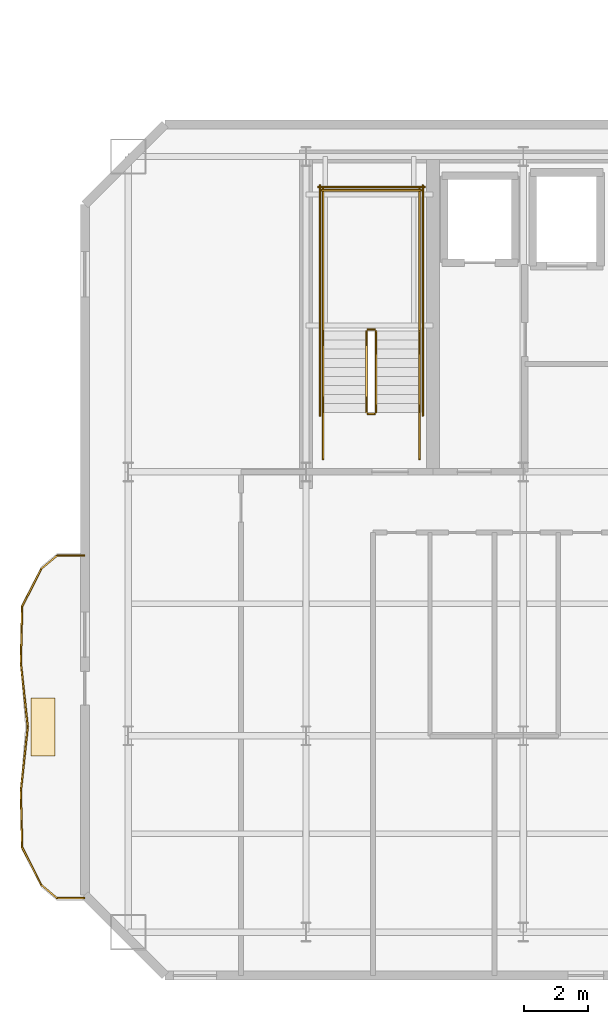
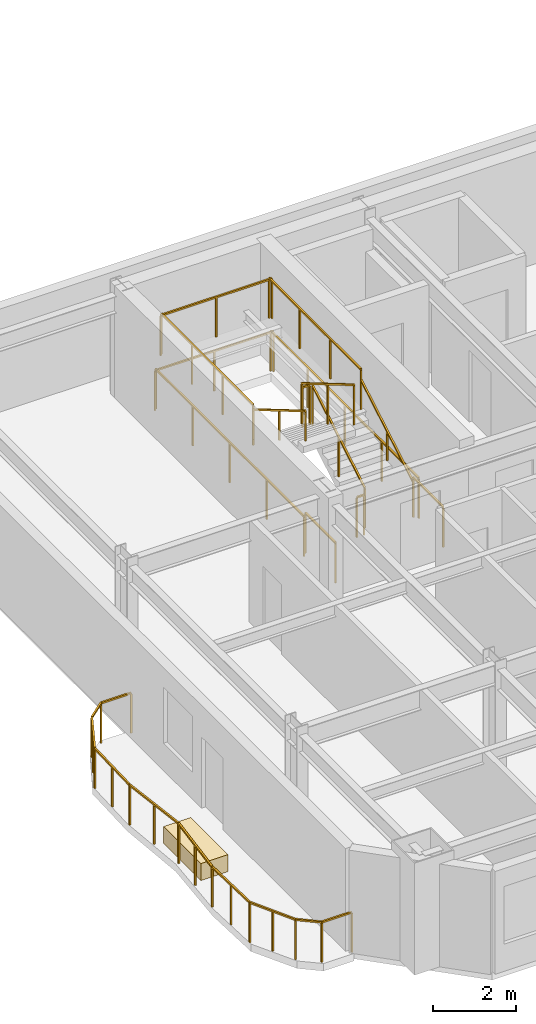
# One storey, part 11 of 14: 24 railings, 1 covering.
"""IFC4 building model written with IfcOpenShell, lengths in metres."""

import ifcopenshell
import ifcopenshell.guid

model = None  # the IFC model being written
_history = None  # IfcOwnerHistory: only IFC2X3 demands one
_inside = {}  # id of a spatial element -> (the spatial element, [elements in it])
_under = {}  # id of a project, library or spatial element -> (it, [spatial elements below it])
_declared = {}  # id of a project -> (the project, [libraries it declares])
_typed = {}  # id of a type object -> (the type object, [elements of that type])
_made_of = {}  # id of a material, layer set ... -> (it, [elements and type objects made of it])


def new_model(schema):
    """Start an empty IFC model of exactly this schema.

    Asked for "IFC4X3", IfcOpenShell would pick the latest addendum, in which some entities
    have other attributes; the version numbers below select the first issue.
    IFC2X3 requires an IfcOwnerHistory on every rooted entity: one is made here for all.
    """
    global model, _history
    if schema == "IFC4X3":
        model = ifcopenshell.file(schema_version=(4, 3, 0, 0))
    else:
        model = ifcopenshell.file(schema=schema)
    _inside.clear()
    _under.clear()
    _declared.clear()
    _typed.clear()
    _made_of.clear()
    _history = None
    if model.schema == "IFC2X3":
        org = make("IfcOrganization", Name="unknown")
        user = make(
            "IfcPersonAndOrganization",
            ThePerson=make("IfcPerson", FamilyName="unknown"),
            TheOrganization=org,
        )
        app = make(
            "IfcApplication",
            ApplicationDeveloper=org,
            Version="unknown",
            ApplicationFullName="unknown",
            ApplicationIdentifier="unknown",
        )
        _history = make(
            "IfcOwnerHistory",
            OwningUser=user,
            OwningApplication=app,
            ChangeAction="ADDED",
            CreationDate=0,
        )
    return model


def make(cls, **values):
    """One entity of the class cls with the attributes given. An attribute that is None is left unset."""
    return model.create_entity(
        cls, **{name: value for name, value in values.items() if value is not None}
    )


def rooted(cls, **values):
    """An entity with a GlobalId (a new one), such as an element, a storey or a relation."""
    return make(cls, GlobalId=ifcopenshell.guid.new(), OwnerHistory=_history, **values)


def si_unit(unit_type, name, prefix=None):
    """IfcSIUnit, for example si_unit("LENGTHUNIT", "METRE", prefix="MILLI")."""
    return make("IfcSIUnit", UnitType=unit_type, Prefix=prefix, Name=name)


def assignment(units):
    """IfcUnitAssignment: the units of a project."""
    return None if units is None else make("IfcUnitAssignment", Units=units)


def point(xyz):
    """IfcCartesianPoint."""
    return None if xyz is None else make("IfcCartesianPoint", Coordinates=xyz)


def direction(xyz):
    """IfcDirection."""
    return None if xyz is None else make("IfcDirection", DirectionRatios=xyz)


def frame(location, z_axis=None, x_axis=None):
    """IfcAxis2Placement3D, a coordinate frame: its origin and axes. An axis left out is left unset."""
    return make(
        "IfcAxis2Placement3D",
        Location=point(location),
        Axis=direction(z_axis),
        RefDirection=direction(x_axis),
    )


def frame_2d(location, x_axis=None):
    """IfcAxis2Placement2D, a coordinate frame in the plane: its origin and x axis."""
    return make(
        "IfcAxis2Placement2D", Location=point(location), RefDirection=direction(x_axis)
    )


def origin():
    """The frame at (0, 0, 0) with its axes left unset."""
    return frame((0.0, 0.0, 0.0))


def origin_2d():
    """The frame at (0, 0) in the plane with its x axis left unset."""
    return frame_2d((0.0, 0.0))


def place(relative_to, where):
    """IfcLocalPlacement: puts the frame where relative to a parent placement (None: the world)."""
    return make(
        "IfcLocalPlacement", PlacementRelTo=relative_to, RelativePlacement=where
    )


def context(
    kind, dimensions, precision=None, world=None, true_north=None, identifier=None
):
    """IfcGeometricRepresentationContext, for example the 3D "Model" context."""
    return make(
        "IfcGeometricRepresentationContext",
        ContextIdentifier=identifier,
        ContextType=kind,
        CoordinateSpaceDimension=dimensions,
        Precision=precision,
        WorldCoordinateSystem=world,
        TrueNorth=true_north,
    )


def subcontext(parent, identifier, kind, view, scale=None):
    """IfcGeometricRepresentationSubContext, for example "Body" below "Model"."""
    return make(
        "IfcGeometricRepresentationSubContext",
        ContextIdentifier=identifier,
        ContextType=kind,
        ParentContext=parent,
        TargetScale=scale,
        TargetView=view,
    )


def project(units=None, contexts=None):
    """IfcProject with its units and contexts."""
    return rooted(
        "IfcProject",
        Name="project",
        RepresentationContexts=contexts,
        UnitsInContext=assignment(units),
    )


def spatial(cls, under=None, at=None, **own):
    """A site, building, storey or space (cls), placed at a placement, below another one or the project."""
    s = rooted(cls, ObjectPlacement=at, **own)
    if under is not None:
        _under.setdefault(under.id(), (under, []))[1].append(s)
    return s


def profile(cls, at=None, kind="AREA", **sizes):
    """A parametric profile (cls). Its sizes go by their IFC names, for example OverallWidth=200.0."""
    return make(cls, ProfileType=kind, Position=at, **sizes)


def rectangle(**sizes):
    """IfcRectangleProfileDef."""
    return profile("IfcRectangleProfileDef", **sizes)


def extrude(swept, where, along, depth):
    """IfcExtrudedAreaSolid: the profile swept, set in the frame where, extruded along a direction by depth."""
    return make(
        "IfcExtrudedAreaSolid",
        SweptArea=swept,
        Position=where,
        ExtrudedDirection=direction(along),
        Depth=depth,
    )


def shape(context_of_items, identifier, shape_type, items):
    """IfcShapeRepresentation: the items that make up one representation, for example the "Body"."""
    return make(
        "IfcShapeRepresentation",
        ContextOfItems=context_of_items,
        RepresentationIdentifier=identifier,
        RepresentationType=shape_type,
        Items=items,
    )


def material(Name=None, Category=None):
    """IfcMaterial."""
    return make("IfcMaterial", Name=Name, Category=Category)


def layer(
    of_material, thickness, ventilated=None, Name=None, Category=None, Priority=None
):
    """IfcMaterialLayer: one layer of a wall or slab, of a material (None: an air gap)."""
    return make(
        "IfcMaterialLayer",
        Material=of_material,
        LayerThickness=thickness,
        IsVentilated=ventilated,
        Name=Name,
        Category=Category,
        Priority=Priority,
    )


def layer_set(layers, Name=None):
    """IfcMaterialLayerSet."""
    return make("IfcMaterialLayerSet", MaterialLayers=layers, LayerSetName=Name)


def made_of(thing, what):
    """Note that an element or type object is made of a material, layer set ...; save() writes the relation."""
    if what is not None:
        _made_of.setdefault(what.id(), (what, []))[1].append(thing)
    return thing


def type_object(cls, material=None, **own):
    """A type object (cls), such as IfcWallType, which elements share."""
    return made_of(rooted(cls, **own), material)


def element(
    cls,
    number,
    at=None,
    inside=None,
    cuts=None,
    type_object=None,
    material=None,
    context=None,
    identifier="Body",
    shape_type=None,
    held_by="IfcProductDefinitionShape",
    body=None,
    shapes=None,
    **own,
):
    """One element of the class cls, such as IfcWall. Its Tag is "e" and its number.

    at: its placement. inside: the storey or other place that contains it. cuts: it is an
    opening in that element (IfcRelVoidsElement). A single representation is given by context,
    identifier, shape_type and body (its items); several are given by shapes. held_by: the class
    of the entity that holds the representations. save() writes the other relations.
    """
    e = rooted(cls, Tag="e%d" % number, ObjectPlacement=at, **own)
    if body is not None:
        shapes = [shape(context, identifier, shape_type, body)]
    if shapes is not None:
        e.Representation = make(held_by, Representations=shapes)
    if inside is not None:
        _inside.setdefault(inside.id(), (inside, []))[1].append(e)
    if cuts is not None:
        rooted(
            "IfcRelVoidsElement", RelatingBuildingElement=cuts, RelatedOpeningElement=e
        )
    if type_object is not None:
        _typed.setdefault(type_object.id(), (type_object, []))[1].append(e)
    return made_of(e, material)


def aggregate(whole, parts):
    """IfcRelAggregates: a whole, such as a stair, and the parts it consists of."""
    return rooted("IfcRelAggregates", RelatingObject=whole, RelatedObjects=parts)


def save(model, path):
    """Write the relations noted so far, then the file.

    IfcRelAggregates (storeys below a building ...), IfcRelContainedInSpatialStructure (elements
    in a storey), IfcRelDefinesByType, IfcRelAssociatesMaterial and IfcRelDeclares: one each for
    every whole, place, type object, material and project.
    """
    for whole, parts in _under.values():
        aggregate(whole, parts)
    for where, things in _inside.values():
        rooted(
            "IfcRelContainedInSpatialStructure",
            RelatedElements=things,
            RelatingStructure=where,
        )
    for kind, things in _typed.values():
        rooted("IfcRelDefinesByType", RelatedObjects=things, RelatingType=kind)
    for what, things in _made_of.values():
        rooted("IfcRelAssociatesMaterial", RelatedObjects=things, RelatingMaterial=what)
    for by, libraries in _declared.values():
        rooted("IfcRelDeclares", RelatingContext=by, RelatedDefinitions=libraries)
    model.write(path)


model = new_model("IFC4")

# Units and contexts
model_context = context("Model", 3, precision=1e-05, world=origin(), true_north=direction((0.0, 1.0)))
body_context = subcontext(model_context, "Body", "Model", "MODEL_VIEW")
ifc_project = project(units=[si_unit("LENGTHUNIT", "METRE"), si_unit("AREAUNIT", "SQUARE_METRE"), si_unit("VOLUMEUNIT", "CUBIC_METRE"), si_unit("PLANEANGLEUNIT", "RADIAN"), si_unit("MASSUNIT", "GRAM", prefix="KILO")], contexts=[model_context])

# Site, building, storey
site_placement = place(None, origin())
site = spatial("IfcSite", under=ifc_project, at=site_placement, CompositionType="ELEMENT")
building_placement = place(site_placement, origin())
building = spatial("IfcBuilding", under=site, at=building_placement, Name="Haevon Station Towers", CompositionType="ELEMENT")
storey_placement = place(building_placement, frame((0.0, 0.0, 212.10009765625)))
storey = spatial("IfcBuildingStorey", under=building, at=storey_placement, Name="L58", CompositionType="ELEMENT", Elevation=212.10009765625)

# Railings
ifc_material_1 = material(Name="Steel S355", Category="steel")
railing_type_1 = type_object("IfcRailingType", Name="GRD-EXT1200", PredefinedType="GUARDRAIL", material=ifc_material_1)
railing_1_placement = place(storey_placement, frame((17.1015625, 35.59716796875, 0.0)))
element("IfcRailing", 1, at=railing_1_placement, inside=storey, type_object=railing_type_1, Name="L58 Perimeter Guardrail 1", PredefinedType="GUARDRAIL", context=body_context, shape_type="SweptSolid", body=[
    extrude(rectangle(XDim=0.048095703125, YDim=0.048095703125, at=origin_2d()), frame((0.0, 0.0, 1.17578125), z_axis=(-0.999997284808, -0.002330317005, 0.0), x_axis=(0.002330317005, -0.999997284808, 0.0)), (0.0, 0.0, 1.0), 0.838134765625),
    extrude(rectangle(XDim=0.0419921875, YDim=0.0419921875, at=origin_2d()), origin(), (0.0, 0.0, 1.0), 1.15185546875),
    extrude(rectangle(XDim=0.0419921875, YDim=0.0419921875, at=origin_2d()), frame((-0.838134765625, -0.001953125, 0.0)), (0.0, 0.0, 1.0), 1.15185546875),
])
railing_2_placement = place(storey_placement, frame((16.263427734375, 35.59521484375, 0.0)))
element("IfcRailing", 2, at=railing_2_placement, inside=storey, type_object=railing_type_1, Name="L58 Perimeter Guardrail 2", PredefinedType="GUARDRAIL", context=body_context, shape_type="SweptSolid", body=[
    extrude(rectangle(XDim=0.048095703125, YDim=0.048095703125, at=origin_2d()), frame((0.0, 0.0, 1.17578125), z_axis=(-0.766185485798, -0.642619484106, 0.0), x_axis=(0.642619484106, -0.766185485798, 0.0)), (0.0, 0.0, 1.0), 0.64013671875),
    extrude(rectangle(XDim=0.0419921875, YDim=0.0419921875, at=origin_2d()), origin(), (0.0, 0.0, 1.0), 1.15185546875),
    extrude(rectangle(XDim=0.0419921875, YDim=0.0419921875, at=origin_2d()), frame((-0.490478515625, -0.411376953125, 0.0)), (0.0, 0.0, 1.0), 1.15185546875),
])
railing_3_placement = place(storey_placement, frame((15.77294921875, 35.183837890625, 0.0)))
element("IfcRailing", 3, at=railing_3_placement, inside=storey, type_object=railing_type_1, Name="L58 Perimeter Guardrail 3", PredefinedType="GUARDRAIL", context=body_context, shape_type="SweptSolid", body=[
    extrude(rectangle(XDim=0.048095703125, YDim=0.048095703125, at=origin_2d()), frame((0.0, 0.0, 1.17578125), z_axis=(-0.452346084471, -0.891842486016, 0.0), x_axis=(0.891842486016, -0.452346084471, 0.0)), (0.0, 0.0, 1.0), 1.31103515625),
    extrude(rectangle(XDim=0.0419921875, YDim=0.0419921875, at=origin_2d()), origin(), (0.0, 0.0, 1.0), 1.15185546875),
    extrude(rectangle(XDim=0.0419921875, YDim=0.0419921875, at=origin_2d()), frame((-0.29638671875, -0.58447265625, 0.0)), (0.0, 0.0, 1.0), 1.15185546875),
    extrude(rectangle(XDim=0.0419921875, YDim=0.0419921875, at=origin_2d()), frame((-0.593017578125, -1.169189453125, 0.0)), (0.0, 0.0, 1.0), 1.15185546875),
])
railing_4_placement = place(storey_placement, frame((15.179931640625, 34.0146484375, 0.0)))
element("IfcRailing", 4, at=railing_4_placement, inside=storey, type_object=railing_type_1, Name="L58 Perimeter Guardrail 4", PredefinedType="GUARDRAIL", context=body_context, shape_type="SweptSolid", body=[
    extrude(rectangle(XDim=0.048095703125, YDim=0.048095703125, at=origin_2d()), frame((0.0, 0.0, 1.17578125), z_axis=(-0.023447411983, -0.999725071643, 0.0), x_axis=(0.999725071643, -0.023447411983, 0.0)), (0.0, 0.0, 1.0), 1.749267578125),
    extrude(rectangle(XDim=0.0419921875, YDim=0.0419921875, at=origin_2d()), origin(), (0.0, 0.0, 1.0), 1.15185546875),
    extrude(rectangle(XDim=0.0419921875, YDim=0.0419921875, at=origin_2d()), frame((-0.0205078125, -0.87451171875, 0.0)), (0.0, 0.0, 1.0), 1.15185546875),
    extrude(rectangle(XDim=0.0419921875, YDim=0.0419921875, at=origin_2d()), frame((-0.041015625, -1.748779296875, 0.0)), (0.0, 0.0, 1.0), 1.15185546875),
])
railing_5_placement = place(storey_placement, frame((15.138916015625, 32.265869140625, 0.0)))
element("IfcRailing", 5, at=railing_5_placement, inside=storey, type_object=railing_type_1, Name="L58 Perimeter Guardrail 5", PredefinedType="GUARDRAIL", context=body_context, shape_type="SweptSolid", body=[
    extrude(rectangle(XDim=0.048095703125, YDim=0.048095703125, at=origin_2d()), frame((0.0, 0.0, 1.17578125), z_axis=(0.107286422576, -0.994228154666, 0.0), x_axis=(0.994228154666, 0.107286422576, 0.0)), (0.0, 0.0, 1.0), 2.00244140625),
    extrude(rectangle(XDim=0.0419921875, YDim=0.0419921875, at=origin_2d()), origin(), (0.0, 0.0, 1.0), 1.15185546875),
    extrude(rectangle(XDim=0.0419921875, YDim=0.0419921875, at=origin_2d()), frame((0.107421875, -0.99560546875, 0.0)), (0.0, 0.0, 1.0), 1.15185546875),
    extrude(rectangle(XDim=0.0419921875, YDim=0.0419921875, at=origin_2d()), frame((0.21484375, -1.990966796875, 0.0)), (0.0, 0.0, 1.0), 1.15185546875),
])
railing_6_placement = place(storey_placement, frame((15.353759765625, 30.27490234375, 0.0)))
element("IfcRailing", 6, at=railing_6_placement, inside=storey, type_object=railing_type_1, Name="L58 Perimeter Guardrail 6", PredefinedType="GUARDRAIL", context=body_context, shape_type="SweptSolid", body=[
    extrude(rectangle(XDim=0.048095703125, YDim=0.048095703125, at=origin_2d()), frame((0.0, 0.0, 1.17578125), z_axis=(-0.107299428621, -0.994226751107, 0.0), x_axis=(0.994226751107, -0.107299428621, 0.0)), (0.0, 0.0, 1.0), 2.002197265625),
    extrude(rectangle(XDim=0.0419921875, YDim=0.0419921875, at=origin_2d()), origin(), (0.0, 0.0, 1.0), 1.15185546875),
    extrude(rectangle(XDim=0.0419921875, YDim=0.0419921875, at=origin_2d()), frame((-0.107421875, -0.995361328125, 0.0)), (0.0, 0.0, 1.0), 1.15185546875),
    extrude(rectangle(XDim=0.0419921875, YDim=0.0419921875, at=origin_2d()), frame((-0.21484375, -1.99072265625, 0.0)), (0.0, 0.0, 1.0), 1.15185546875),
])
railing_7_placement = place(storey_placement, frame((15.138916015625, 28.2841796875, 0.0)))
element("IfcRailing", 7, at=railing_7_placement, inside=storey, type_object=railing_type_1, Name="L58 Perimeter Guardrail 7", PredefinedType="GUARDRAIL", context=body_context, shape_type="SweptSolid", body=[
    extrude(rectangle(XDim=0.048095703125, YDim=0.048095703125, at=origin_2d()), frame((0.0, 0.0, 1.17578125), z_axis=(0.023447411983, -0.999725071643, 0.0), x_axis=(0.999725071643, 0.023447411983, 0.0)), (0.0, 0.0, 1.0), 1.749267578125),
    extrude(rectangle(XDim=0.0419921875, YDim=0.0419921875, at=origin_2d()), origin(), (0.0, 0.0, 1.0), 1.15185546875),
    extrude(rectangle(XDim=0.0419921875, YDim=0.0419921875, at=origin_2d()), frame((0.0205078125, -0.87451171875, 0.0)), (0.0, 0.0, 1.0), 1.15185546875),
    extrude(rectangle(XDim=0.0419921875, YDim=0.0419921875, at=origin_2d()), frame((0.041015625, -1.748779296875, 0.0)), (0.0, 0.0, 1.0), 1.15185546875),
])
railing_8_placement = place(storey_placement, frame((15.179931640625, 26.535400390625, 0.0)))
element("IfcRailing", 8, at=railing_8_placement, inside=storey, type_object=railing_type_1, Name="L58 Perimeter Guardrail 8", PredefinedType="GUARDRAIL", context=body_context, shape_type="SweptSolid", body=[
    extrude(rectangle(XDim=0.048095703125, YDim=0.048095703125, at=origin_2d()), frame((0.0, 0.0, 1.17578125), z_axis=(0.452270967259, -0.89188058179, 0.0), x_axis=(0.89188058179, 0.452270967259, 0.0)), (0.0, 0.0, 1.0), 1.311279296875),
    extrude(rectangle(XDim=0.0419921875, YDim=0.0419921875, at=origin_2d()), origin(), (0.0, 0.0, 1.0), 1.15185546875),
    extrude(rectangle(XDim=0.0419921875, YDim=0.0419921875, at=origin_2d()), frame((0.29638671875, -0.584716796875, 0.0)), (0.0, 0.0, 1.0), 1.15185546875),
    extrude(rectangle(XDim=0.0419921875, YDim=0.0419921875, at=origin_2d()), frame((0.593017578125, -1.16943359375, 0.0)), (0.0, 0.0, 1.0), 1.15185546875),
])
railing_9_placement = place(storey_placement, frame((15.77294921875, 25.365966796875, 0.0)))
element("IfcRailing", 9, at=railing_9_placement, inside=storey, type_object=railing_type_1, Name="L58 Perimeter Guardrail 9", PredefinedType="GUARDRAIL", context=body_context, shape_type="SweptSolid", body=[
    extrude(rectangle(XDim=0.048095703125, YDim=0.048095703125, at=origin_2d()), frame((0.0, 0.0, 1.17578125), z_axis=(0.766373275835, -0.64239551842, 0.0), x_axis=(0.64239551842, 0.766373275835, 0.0)), (0.0, 0.0, 1.0), 0.639892578125),
    extrude(rectangle(XDim=0.0419921875, YDim=0.0419921875, at=origin_2d()), origin(), (0.0, 0.0, 1.0), 1.15185546875),
    extrude(rectangle(XDim=0.0419921875, YDim=0.0419921875, at=origin_2d()), frame((0.490478515625, -0.4111328125, 0.0)), (0.0, 0.0, 1.0), 1.15185546875),
])
railing_10_placement = place(storey_placement, frame((16.263427734375, 24.954833984375, 0.0)))
element("IfcRailing", 10, at=railing_10_placement, inside=storey, type_object=railing_type_1, Name="L58 Perimeter Guardrail 10", PredefinedType="GUARDRAIL", context=body_context, shape_type="SweptSolid", body=[
    extrude(rectangle(XDim=0.048095703125, YDim=0.048095703125, at=origin_2d()), frame((0.0, 0.0, 1.17578125), z_axis=(0.999997284808, -0.002330317005, 0.0), x_axis=(0.002330317005, 0.999997284808, 0.0)), (0.0, 0.0, 1.0), 0.838134765625),
    extrude(rectangle(XDim=0.0419921875, YDim=0.0419921875, at=origin_2d()), origin(), (0.0, 0.0, 1.0), 1.15185546875),
    extrude(rectangle(XDim=0.0419921875, YDim=0.0419921875, at=origin_2d()), frame((0.838134765625, -0.001953125, 0.0)), (0.0, 0.0, 1.0), 1.15185546875),
])
railing_type_2 = type_object("IfcRailingType", Name="GRD-STR1200", PredefinedType="GUARDRAIL", material=ifc_material_1)
railing_11_placement = place(storey_placement, frame((26.179931640625, 40.050048828125, 0.164794921875)))
element("IfcRailing", 11, at=railing_11_placement, inside=storey, type_object=railing_type_2, Name="L58 ST1 Stair Guard 1", PredefinedType="GUARDRAIL", context=body_context, shape_type="SweptSolid", body=[
    extrude(rectangle(XDim=0.048095703125, YDim=0.048095703125, at=origin_2d()), frame((0.0, 0.0, 1.17578125), z_axis=(0.0, 0.86152411907, 0.507716645641), x_axis=(-1.0, 0.0, 0.0)), (0.0, 0.0, 1.0), 2.925048828125),
    extrude(rectangle(XDim=0.0419921875, YDim=0.0419921875, at=origin_2d()), origin(), (0.0, 0.0, 1.0), 1.15185546875),
    extrude(rectangle(XDim=0.0419921875, YDim=0.0419921875, at=origin_2d()), frame((0.0, 1.260009765625, 0.74267578125)), (0.0, 0.0, 1.0), 1.15185546875),
    extrude(rectangle(XDim=0.0419921875, YDim=0.0419921875, at=origin_2d()), frame((0.0, 2.52001953125, 1.485107421875)), (0.0, 0.0, 1.0), 1.15185546875),
])
railing_12_placement = place(storey_placement, frame((26.1298828125, 42.6201171875, 1.64990234375)))
element("IfcRailing", 12, at=railing_12_placement, inside=storey, type_object=railing_type_2, Name="L58 ST1 Stair Guard 2", PredefinedType="GUARDRAIL", context=body_context, shape_type="SweptSolid", body=[
    extrude(rectangle(XDim=0.048095703125, YDim=0.048095703125, at=origin_2d()), frame((0.0, 0.0, 1.17578125), z_axis=(-1.0, 0.0, 0.0), x_axis=(0.0, -1.0, 0.0)), (0.0, 0.0, 1.0), 0.199951171875),
    extrude(rectangle(XDim=0.0419921875, YDim=0.0419921875, at=origin_2d()), origin(), (0.0, 0.0, 1.0), 1.15185546875),
    extrude(rectangle(XDim=0.0419921875, YDim=0.0419921875, at=origin_2d()), frame((-0.199951171875, 0.0, 0.0)), (0.0, 0.0, 1.0), 1.15185546875),
])
for number, where, name in (
    (13, (27.530029296875, 42.570068359375, 1.64990234375), "L58 ST1 Stair Guard 3"),
    (14, (24.530029296875, 42.570068359375, 1.64990234375), "L58 ST1 Stair Guard 4"),
):
    element("IfcRailing", number, at=place(storey_placement, frame(where)), inside=storey, type_object=railing_type_2, Name=name, PredefinedType="GUARDRAIL", context=body_context, shape_type="SweptSolid", body=[
        extrude(rectangle(XDim=0.048095703125, YDim=0.048095703125, at=origin_2d()), frame((0.0, 0.0, 1.17578125), z_axis=(0.0, 1.0, 0.0), x_axis=(-1.0, 0.0, 0.0)), (0.0, 0.0, 1.0), 4.429931640625),
        extrude(rectangle(XDim=0.0419921875, YDim=0.0419921875, at=origin_2d()), origin(), (0.0, 0.0, 1.0), 1.15185546875),
        extrude(rectangle(XDim=0.0419921875, YDim=0.0419921875, at=origin_2d()), frame((0.0, 1.4765625, 0.0)), (0.0, 0.0, 1.0), 1.15185546875),
        extrude(rectangle(XDim=0.0419921875, YDim=0.0419921875, at=origin_2d()), frame((0.0, 2.953369140625, 0.0)), (0.0, 0.0, 1.0), 1.15185546875),
        extrude(rectangle(XDim=0.0419921875, YDim=0.0419921875, at=origin_2d()), frame((0.0, 4.429931640625, 0.0)), (0.0, 0.0, 1.0), 1.15185546875),
    ])
railing_13_placement = place(storey_placement, frame((27.580078125, 46.949951171875, 1.64990234375)))
element("IfcRailing", 15, at=railing_13_placement, inside=storey, type_object=railing_type_2, Name="L58 ST1 Stair Guard 5", PredefinedType="GUARDRAIL", context=body_context, shape_type="SweptSolid", body=[
    extrude(rectangle(XDim=0.048095703125, YDim=0.048095703125, at=origin_2d()), frame((0.0, 0.0, 1.17578125), z_axis=(-1.0, 0.0, 0.0), x_axis=(0.0, -1.0, 0.0)), (0.0, 0.0, 1.0), 3.10009765625),
    extrude(rectangle(XDim=0.0419921875, YDim=0.0419921875, at=origin_2d()), origin(), (0.0, 0.0, 1.0), 1.15185546875),
    extrude(rectangle(XDim=0.0419921875, YDim=0.0419921875, at=origin_2d()), frame((-1.550048828125, 0.0, 0.0)), (0.0, 0.0, 1.0), 1.15185546875),
    extrude(rectangle(XDim=0.0419921875, YDim=0.0419921875, at=origin_2d()), frame((-3.10009765625, 0.0, 0.0)), (0.0, 0.0, 1.0), 1.15185546875),
])
railing_14_placement = place(storey_placement, frame((25.8798828125, 42.570068359375, 1.81494140625)))
element("IfcRailing", 16, at=railing_14_placement, inside=storey, type_object=railing_type_2, Name="L58 ST1 Stair Guard 6", PredefinedType="GUARDRAIL", context=body_context, shape_type="SweptSolid", body=[
    extrude(rectangle(XDim=0.048095703125, YDim=0.048095703125, at=origin_2d()), frame((0.0, 0.0, 1.17578125), z_axis=(0.0, -0.861560626758, 0.507654692109), x_axis=(1.0, 0.0, 0.0)), (0.0, 0.0, 1.0), 2.925048828125),
    extrude(rectangle(XDim=0.0419921875, YDim=0.0419921875, at=origin_2d()), origin(), (0.0, 0.0, 1.0), 1.15185546875),
    extrude(rectangle(XDim=0.0419921875, YDim=0.0419921875, at=origin_2d()), frame((0.0, -1.260009765625, 0.742431640625)), (0.0, 0.0, 1.0), 1.15185546875),
    extrude(rectangle(XDim=0.0419921875, YDim=0.0419921875, at=origin_2d()), frame((0.0, -2.52001953125, 1.48486328125)), (0.0, 0.0, 1.0), 1.15185546875),
])
railing_15_placement = place(storey_placement, frame((26.1298828125, 40.0, 0.0)))
element("IfcRailing", 17, at=railing_15_placement, inside=storey, type_object=railing_type_2, Name="L58 ST1 Stair Guard 7", PredefinedType="GUARDRAIL", context=body_context, shape_type="SweptSolid", body=[
    extrude(rectangle(XDim=0.048095703125, YDim=0.048095703125, at=origin_2d()), frame((0.0, 0.0, 1.17578125), z_axis=(-1.0, 0.0, 0.0), x_axis=(0.0, -1.0, 0.0)), (0.0, 0.0, 1.0), 0.199951171875),
    extrude(rectangle(XDim=0.0419921875, YDim=0.0419921875, at=origin_2d()), origin(), (0.0, 0.0, 1.0), 1.15185546875),
    extrude(rectangle(XDim=0.0419921875, YDim=0.0419921875, at=origin_2d()), frame((-0.199951171875, 0.0, 0.0)), (0.0, 0.0, 1.0), 1.15185546875),
])
for number, where, name in (
    (18, (27.530029296875, 38.60009765625, 0.0), "L58 ST1 Stair Guard 8"),
    (19, (24.530029296875, 38.60009765625, 0.0), "L58 ST1 Stair Guard 9"),
):
    element("IfcRailing", number, at=place(storey_placement, frame(where)), inside=storey, type_object=railing_type_2, Name=name, PredefinedType="GUARDRAIL", context=body_context, shape_type="SweptSolid", body=[
        extrude(rectangle(XDim=0.048095703125, YDim=0.048095703125, at=origin_2d()), frame((0.0, 0.0, 1.17578125), z_axis=(0.0, 1.0, 0.0), x_axis=(-1.0, 0.0, 0.0)), (0.0, 0.0, 1.0), 1.449951171875),
        extrude(rectangle(XDim=0.0419921875, YDim=0.0419921875, at=origin_2d()), origin(), (0.0, 0.0, 1.0), 1.15185546875),
        extrude(rectangle(XDim=0.0419921875, YDim=0.0419921875, at=origin_2d()), frame((0.0, 1.449951171875, 0.0)), (0.0, 0.0, 1.0), 1.15185546875),
    ])
for number, where, name in (
    (20, (27.6298828125, 39.949951171875, 0.0), "L58 ST1 Stair Guard 10"),
    (21, (24.429931640625, 39.949951171875, 0.0), "L58 ST1 Stair Guard 11"),
):
    element("IfcRailing", number, at=place(storey_placement, frame(where)), inside=storey, type_object=railing_type_2, Name=name, PredefinedType="GUARDRAIL", context=body_context, shape_type="SweptSolid", body=[
        extrude(rectangle(XDim=0.048095703125, YDim=0.048095703125, at=origin_2d()), frame((0.0, 0.0, 1.17578125), z_axis=(0.0, 1.0, 0.0), x_axis=(-1.0, 0.0, 0.0)), (0.0, 0.0, 1.0), 7.150146484375),
        extrude(rectangle(XDim=0.0419921875, YDim=0.0419921875, at=origin_2d()), origin(), (0.0, 0.0, 1.0), 1.15185546875),
        extrude(rectangle(XDim=0.0419921875, YDim=0.0419921875, at=origin_2d()), frame((0.0, 1.78759765625, 0.0)), (0.0, 0.0, 1.0), 1.15185546875),
        extrude(rectangle(XDim=0.0419921875, YDim=0.0419921875, at=origin_2d()), frame((0.0, 3.5751953125, 0.0)), (0.0, 0.0, 1.0), 1.15185546875),
        extrude(rectangle(XDim=0.0419921875, YDim=0.0419921875, at=origin_2d()), frame((0.0, 5.362548828125, 0.0)), (0.0, 0.0, 1.0), 1.15185546875),
        extrude(rectangle(XDim=0.0419921875, YDim=0.0419921875, at=origin_2d()), frame((0.0, 7.150146484375, 0.0)), (0.0, 0.0, 1.0), 1.15185546875),
    ])
railing_16_placement = place(storey_placement, frame((27.679931640625, 47.050048828125, 0.0)))
element("IfcRailing", 22, at=railing_16_placement, inside=storey, type_object=railing_type_2, Name="L58 ST1 Stair Guard 12", PredefinedType="GUARDRAIL", context=body_context, shape_type="SweptSolid", body=[
    extrude(rectangle(XDim=0.048095703125, YDim=0.048095703125, at=origin_2d()), frame((0.0, 0.0, 1.17578125), z_axis=(-1.0, 0.0, 0.0), x_axis=(0.0, -1.0, 0.0)), (0.0, 0.0, 1.0), 3.300048828125),
    extrude(rectangle(XDim=0.0419921875, YDim=0.0419921875, at=origin_2d()), origin(), (0.0, 0.0, 1.0), 1.15185546875),
    extrude(rectangle(XDim=0.0419921875, YDim=0.0419921875, at=origin_2d()), frame((-1.64990234375, 0.0, 0.0)), (0.0, 0.0, 1.0), 1.15185546875),
    extrude(rectangle(XDim=0.0419921875, YDim=0.0419921875, at=origin_2d()), frame((-3.300048828125, 0.0, 0.0)), (0.0, 0.0, 1.0), 1.15185546875),
])
railing_type_3 = type_object("IfcRailingType", Name="HND-STR900", PredefinedType="HANDRAIL", material=ifc_material_1)
railing_17_placement = place(storey_placement, frame((27.530029296875, 40.050048828125, 0.164794921875)))
element("IfcRailing", 23, at=railing_17_placement, inside=storey, type_object=railing_type_3, Name="L58 ST1 Stair Handrail 1", PredefinedType="HANDRAIL", context=body_context, shape_type="SweptSolid", body=[
    extrude(rectangle(XDim=0.048095703125, YDim=0.048095703125, at=origin_2d()), frame((0.0, 0.0, 0.8759765625), z_axis=(0.0, 0.86152411907, 0.507716645641), x_axis=(-1.0, 0.0, 0.0)), (0.0, 0.0, 1.0), 2.925048828125),
    extrude(rectangle(XDim=0.0419921875, YDim=0.0419921875, at=origin_2d()), origin(), (0.0, 0.0, 1.0), 0.851806640625),
    extrude(rectangle(XDim=0.0419921875, YDim=0.0419921875, at=origin_2d()), frame((0.0, 1.260009765625, 0.74267578125)), (0.0, 0.0, 1.0), 0.851806640625),
    extrude(rectangle(XDim=0.0419921875, YDim=0.0419921875, at=origin_2d()), frame((0.0, 2.52001953125, 1.485107421875)), (0.0, 0.0, 1.0), 0.851806640625),
])
railing_18_placement = place(storey_placement, frame((24.530029296875, 42.570068359375, 1.81494140625)))
element("IfcRailing", 24, at=railing_18_placement, inside=storey, type_object=railing_type_3, Name="L58 ST1 Stair Handrail 2", PredefinedType="HANDRAIL", context=body_context, shape_type="SweptSolid", body=[
    extrude(rectangle(XDim=0.048095703125, YDim=0.048095703125, at=origin_2d()), frame((0.0, 0.0, 0.8759765625), z_axis=(0.0, -0.861560626758, 0.507654692109), x_axis=(1.0, 0.0, 0.0)), (0.0, 0.0, 1.0), 2.925048828125),
    extrude(rectangle(XDim=0.0419921875, YDim=0.0419921875, at=origin_2d()), origin(), (0.0, 0.0, 1.0), 0.851806640625),
    extrude(rectangle(XDim=0.0419921875, YDim=0.0419921875, at=origin_2d()), frame((0.0, -1.260009765625, 0.742431640625)), (0.0, 0.0, 1.0), 0.851806640625),
    extrude(rectangle(XDim=0.0419921875, YDim=0.0419921875, at=origin_2d()), frame((0.0, -2.52001953125, 1.48486328125)), (0.0, 0.0, 1.0), 0.851806640625),
])

# Covering
ifc_material_2 = material(Name="Architectural planter GRC", Category="concrete")
ifc_layer = layer(ifc_material_2, 0.550048828125)
ifc_layer_set = layer_set([ifc_layer], Name="Architectural planter GRC")
covering_type = type_object("IfcCoveringType", Name="PLN-GRC550", PredefinedType="MOLDING", material=ifc_layer_set)
covering_placement = place(storey_placement, frame((15.832275390625, 30.27490234375, 0.0), z_axis=(0.0, 0.0, 1.0), x_axis=(1.0, 0.0, 0.0)))
element("IfcCovering", 25, at=covering_placement, inside=storey, type_object=covering_type, Name="Tower 1 L58 Scalloped Balcony PLANTER", PredefinedType="MOLDING", context=body_context, shape_type="SweptSolid", body=[
    extrude(rectangle(XDim=0.75, YDim=1.800048828125, at=origin_2d()), origin(), (0.0, 0.0, 1.0), 0.5),
])

save(model, "model.ifc")
